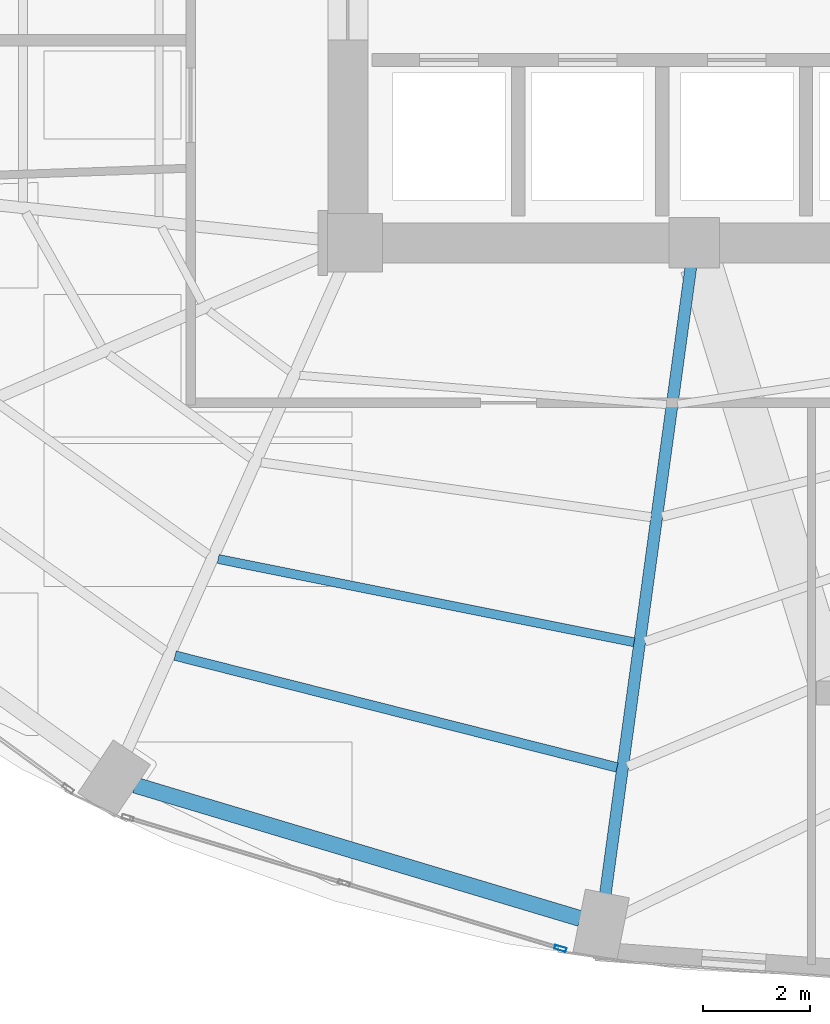
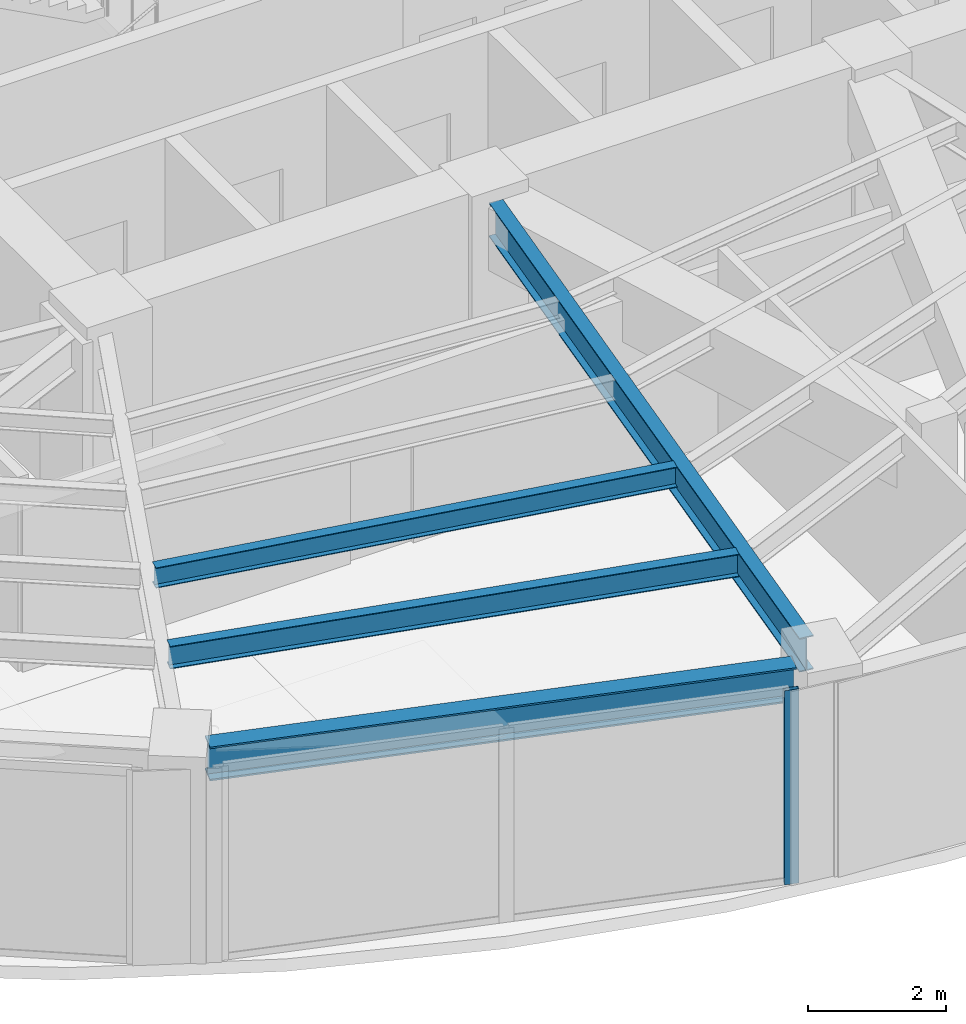
# One storey, part 5 of 23: 4 beams, 1 member, 1 element without a shape of its own.
"""IFC4 building model written with IfcOpenShell, lengths in metres."""

from ifc_helpers import new_model, si_unit, direction, frame, origin, origin_2d, place, context, subcontext, project, spatial, hollow_rectangle, i_section, extrude, material, layer, layer_set, material_profile, profile_set, type_object, element, aggregate, save


model = new_model("IFC4")

# Units and contexts
model_context = context("Model", 3, precision=1e-05, world=origin(), true_north=direction((0.0, 1.0)))
body_context = subcontext(model_context, "Body", "Model", "MODEL_VIEW")
ifc_project = project(units=[si_unit("LENGTHUNIT", "METRE"), si_unit("AREAUNIT", "SQUARE_METRE"), si_unit("VOLUMEUNIT", "CUBIC_METRE"), si_unit("PLANEANGLEUNIT", "RADIAN"), si_unit("MASSUNIT", "GRAM", prefix="KILO")], contexts=[model_context])

# Site, building, storey
site_placement = place(None, origin())
site = spatial("IfcSite", under=ifc_project, at=site_placement, CompositionType="ELEMENT")
building_placement = place(site_placement, origin())
building = spatial("IfcBuilding", under=site, at=building_placement, Name="Lazwardi Medical Tower", CompositionType="ELEMENT")
storey_placement = place(building_placement, frame((0.0, 0.0, 92.68798828125)))
storey = spatial("IfcBuildingStorey", under=building, at=storey_placement, Name="L23", CompositionType="ELEMENT", Elevation=92.68798828125)

# Beams
ifc_material_1 = material(Name="Steel S355", Category="steel")
ifc_material_profile_1 = material_profile(ifc_material_1, i_section(OverallWidth=0.300048828125, OverallDepth=0.60009765625, WebThickness=0.015380859375, FlangeThickness=0.030029296875, at=origin_2d()), Name="HEB 600")
ifc_profile_set_1 = profile_set([ifc_material_profile_1], Name="Steel S355")
beam_type_1 = type_object("IfcBeamType", Name="BM-RB-Z2", PredefinedType="BEAM", material=ifc_profile_set_1)
beam_1_placement = place(storey_placement, frame((22.30908203125, 10.224609375, 3.1279296875), z_axis=(0.957879438442, -0.287170648587, 0.0), x_axis=(0.287170648587, 0.957879438442, 0.0)))
element("IfcBeam", 1, at=beam_1_placement, inside=storey, type_object=beam_type_1, Name="Ring beam RB-03 B15 L23", PredefinedType="BEAM", context=body_context, shape_type="SweptSolid", body=[
    extrude(i_section(OverallWidth=0.300048828125, OverallDepth=0.60009765625, WebThickness=0.015380859375, FlangeThickness=0.030029296875, at=origin_2d()), origin(), (0.0, 0.0, 1.0), 8.719970703125),
])
ifc_material_profile_2 = material_profile(ifc_material_1, i_section(OverallWidth=0.219970703125, OverallDepth=0.60009765625, WebThickness=0.011962890625, FlangeThickness=0.01904296875, at=origin_2d()), Name="IPE 600")
ifc_profile_set_2 = profile_set([ifc_material_profile_2], Name="Steel S355")
beam_type_2 = type_object("IfcBeamType", Name="BM-RG-W1", PredefinedType="BEAM", material=ifc_profile_set_2)
beam_2_placement = place(storey_placement, frame((31.1328125, 8.17724609375, 3.1279296875), z_axis=(0.135147148002, 0.990825538825, 0.0), x_axis=(-0.990825538825, 0.135147148002, 0.0)))
element("IfcBeam", 2, at=beam_2_placement, inside=storey, type_object=beam_type_2, Name="Radial girder RG-02 R16 L23", PredefinedType="BEAM", context=body_context, shape_type="SweptSolid", body=[
    extrude(i_section(OverallWidth=0.219970703125, OverallDepth=0.60009765625, WebThickness=0.011962890625, FlangeThickness=0.01904296875, at=origin_2d()), origin(), (0.0, 0.0, 1.0), 11.875732421875),
])
ifc_material_profile_3 = material_profile(ifc_material_1, i_section(OverallWidth=0.179931640625, OverallDepth=0.39990234375, WebThickness=0.008544921875, FlangeThickness=0.013427734375, at=origin_2d()), Name="IPE 400")
ifc_profile_set_3 = profile_set([ifc_material_profile_3], Name="Steel S355")
beam_type_3 = type_object("IfcBeamType", Name="BM-SJ-01", PredefinedType="JOIST", material=ifc_profile_set_3)
beam_3_placement = place(storey_placement, frame((23.060302734375, 12.654296875, 3.22802734375), z_axis=(0.96945186753, -0.245281626997, 0.0), x_axis=(0.245281626997, 0.96945186753, 0.0)))
element("IfcBeam", 3, at=beam_3_placement, inside=storey, type_object=beam_type_3, Name="Secondary joist SJ-01 R1 B15 L23", PredefinedType="JOIST", context=body_context, shape_type="SweptSolid", body=[
    extrude(i_section(OverallWidth=0.179931640625, OverallDepth=0.39990234375, WebThickness=0.008544921875, FlangeThickness=0.013427734375, at=origin_2d()), origin(), (0.0, 0.0, 1.0), 8.552978515625),
])
ifc_material_profile_4 = material_profile(ifc_material_1, i_section(OverallWidth=0.169921875, OverallDepth=0.360107421875, WebThickness=0.008056640625, FlangeThickness=0.0126953125, at=origin_2d()), Name="IPE 360")
ifc_profile_set_4 = profile_set([ifc_material_profile_4], Name="Steel S355")
beam_type_4 = type_object("IfcBeamType", Name="BM-SJ-02", PredefinedType="JOIST", material=ifc_profile_set_4)
beam_4_placement = place(storey_placement, frame((23.8671875, 14.46728515625, 3.248046875), z_axis=(0.980542906584, -0.196304886203, 0.0), x_axis=(0.196304886203, 0.980542906584, 0.0)))
element("IfcBeam", 4, at=beam_4_placement, inside=storey, type_object=beam_type_4, Name="Secondary joist SJ-02 R2 B15 L23", PredefinedType="JOIST", context=body_context, shape_type="SweptSolid", body=[
    extrude(i_section(OverallWidth=0.169921875, OverallDepth=0.360107421875, WebThickness=0.008056640625, FlangeThickness=0.0126953125, at=origin_2d()), origin(), (0.0, 0.0, 1.0), 7.95947265625),
])

# Curtain wall, member
ifc_material_2 = material(Name="Anodised bronze aluminium and solar control glazing", Category="aluminium")
ifc_layer = layer(ifc_material_2, 0.195068359375)
ifc_layer_set = layer_set([ifc_layer], Name="Anodised bronze aluminium and solar control glazing")
curtain_wall_type = type_object("IfcCurtainWallType", Name="CW-SYS-03", PredefinedType="NOTDEFINED", material=ifc_layer_set)
curtain_wall_placement = place(storey_placement, origin())
curtain_wall = element("IfcCurtainWall", 5, at=curtain_wall_placement, inside=storey, type_object=curtain_wall_type, Name="L23 Unitised bronze curtain wall CW-03", PredefinedType="NOTDEFINED")
ifc_material_3 = material(Name="Anodised bronze aluminium", Category="aluminium")
ifc_material_profile_5 = material_profile(ifc_material_3, hollow_rectangle(XDim=0.074951171875, YDim=0.219970703125, WallThickness=0.00390625, at=origin_2d()), Name="ALU-MULLION 220x75x4")
ifc_profile_set_5 = profile_set([ifc_material_profile_5], Name="Anodised bronze aluminium")
member_type = type_object("IfcMemberType", Name="CW-MUL-01", PredefinedType="MULLION", material=ifc_profile_set_5)
member_placement = place(storey_placement, frame((30.289794921875, 7.159912109375, 0.0), z_axis=(0.0, 0.0, 1.0), x_axis=(0.28937381157, 0.957216170558, 0.0)))
member = element("IfcMember", 6, at=member_placement, type_object=member_type, Name="CW-03 mullion 3", PredefinedType="MULLION", context=body_context, shape_type="SweptSolid", body=[
    extrude(hollow_rectangle(XDim=0.074951171875, YDim=0.219970703125, WallThickness=0.00390625, at=origin_2d()), origin(), (0.0, 0.0, 1.0), 3.427978515625),
])
aggregate(curtain_wall, [member])

save(model, "model.ifc")
